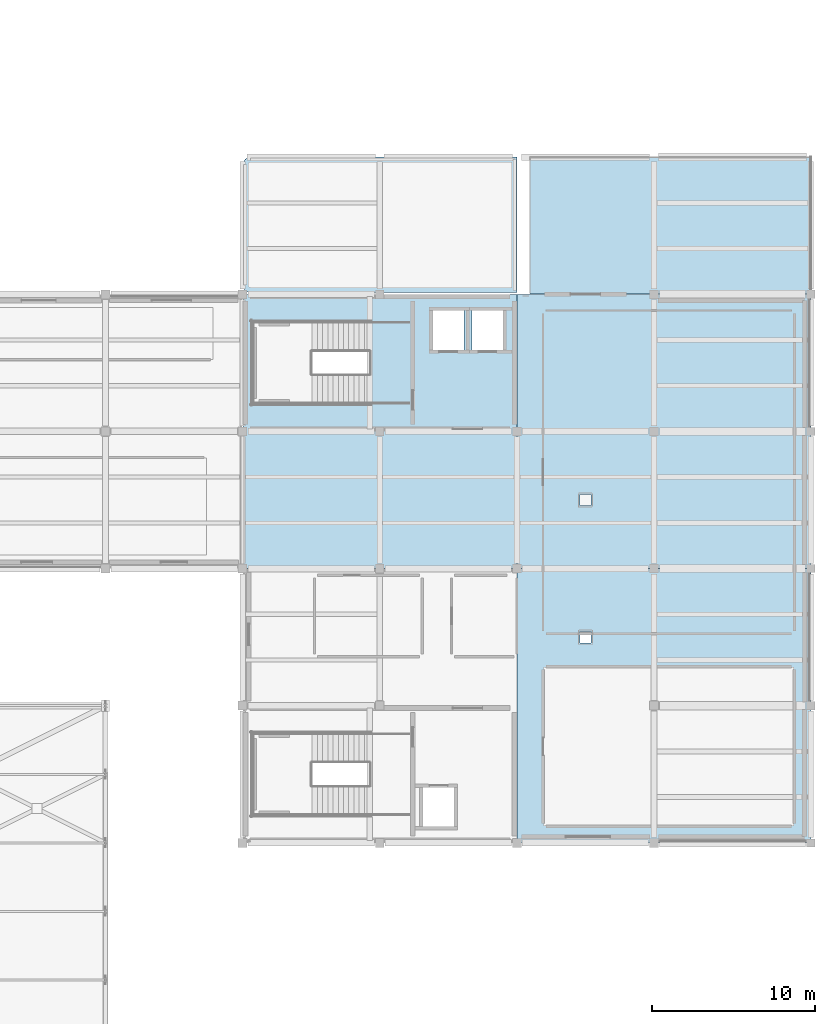
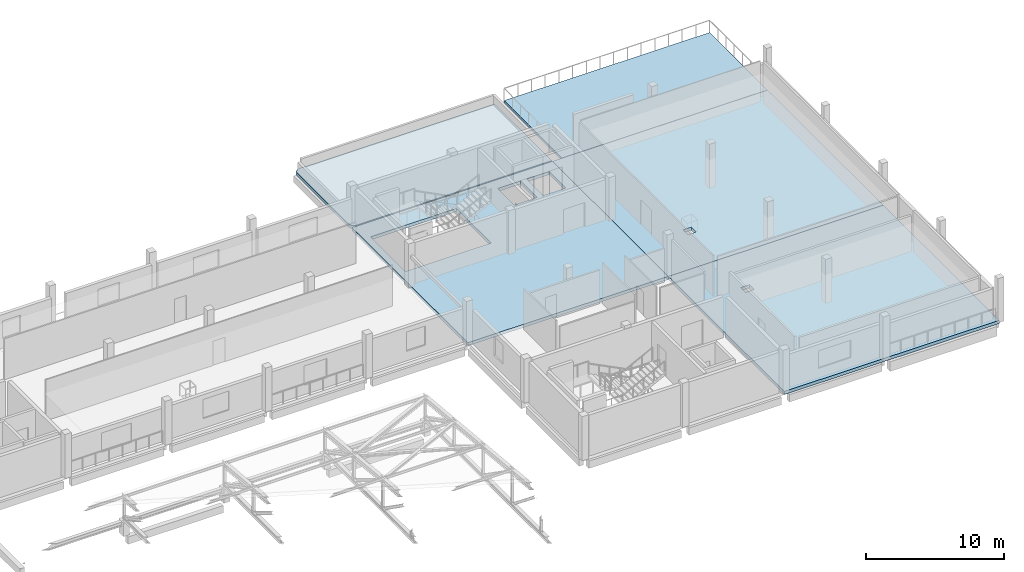
# One storey, part 54 of 74: 5 slabs.
"""IFC4 building model written with IfcOpenShell, lengths in metres."""

from ifc_helpers import new_model, si_unit, derived_unit, direction, frame, origin, place, context, subcontext, project, spatial, polyline, outline, extrude, material, layer, layer_set, type_object, element, save


model = new_model("IFC4")

# Units and contexts
model_context = context("Model", 3, precision=1e-05, world=origin(), true_north=direction((0.0, 1.0)))
body_context = subcontext(model_context, "Body", "Model", "MODEL_VIEW")
ifc_project = project(units=[si_unit("LENGTHUNIT", "METRE"), si_unit("AREAUNIT", "SQUARE_METRE"), si_unit("VOLUMEUNIT", "CUBIC_METRE"), si_unit("PLANEANGLEUNIT", "RADIAN"), si_unit("MASSUNIT", "GRAM", prefix="KILO"), derived_unit("THERMALTRANSMITTANCEUNIT", [(si_unit("POWERUNIT", "WATT"), 1), (si_unit("LENGTHUNIT", "METRE"), -2), (si_unit("THERMODYNAMICTEMPERATUREUNIT", "KELVIN"), -1)])], contexts=[model_context])

# Site, building, storey
site_placement = place(None, origin())
site = spatial("IfcSite", under=ifc_project, at=site_placement, CompositionType="ELEMENT")
building_placement = place(site_placement, origin())
building = spatial("IfcBuilding", under=site, at=building_placement, Name="Elbkamm Science Centre", CompositionType="ELEMENT")
storey_placement = place(building_placement, frame((0.0, 0.0, 14.39990234375)))
storey = spatial("IfcBuildingStorey", under=building, at=storey_placement, Name="L03", CompositionType="ELEMENT", Elevation=14.39990234375)

# Slabs
ifc_material_1 = material(Name="Exposed freeze-thaw concrete C40/50", Category="concrete")
ifc_layer_1 = layer(ifc_material_1, 0.219970703125)
ifc_layer_set_1 = layer_set([ifc_layer_1], Name="Exposed freeze-thaw concrete C40/50")
slab_type_1 = type_object("IfcSlabType", Name="SLAB-DECK-220", PredefinedType="FLOOR", material=ifc_layer_set_1)
slab_1_placement = place(storey_placement, frame((0.0, 0.0, -0.219970703125)))
element("IfcSlab", 1, at=slab_1_placement, inside=storey, type_object=slab_type_1, Name="Biodiversity Garden Roof Terrace", PredefinedType="FLOOR", context=body_context, shape_type="SweptSolid", body=[
    extrude(outline(polyline([(160.800048828125, 67.199951171875), (160.800048828125, 58.804931640625), (143.60009765625, 58.804931640625), (143.60009765625, 67.199951171875), (160.800048828125, 67.199951171875)])), origin(), (0.0, 0.0, 1.0), 0.219970703125),
])
ifc_material_2 = material(Name="Reinforced concrete C40/50", Category="concrete")
ifc_layer_2 = layer(ifc_material_2, 0.280029296875)
ifc_layer_set_2 = layer_set([ifc_layer_2], Name="Reinforced concrete C40/50")
slab_type_2 = type_object("IfcSlabType", Name="SLAB-FLR-280", PredefinedType="FLOOR", material=ifc_layer_set_2)
slab_2_placement = place(storey_placement, frame((0.0, 0.0, -0.27978515625)))
element("IfcSlab", 2, at=slab_2_placement, inside=storey, type_object=slab_type_2, Name="L03 Structural Slab E1M-06", PredefinedType="FLOOR", context=body_context, shape_type="SweptSolid", body=[
    extrude(outline(polyline([(126.02490234375, 58.800048828125), (142.800048828125, 58.800048828125), (142.800048828125, 42.0), (126.02490234375, 42.0), (126.02490234375, 58.800048828125)]), holes=[polyline([(126.60009765625, 57.1201171875), (126.60009765625, 52.080078125), (133.780029296875, 52.080078125), (133.780029296875, 57.1201171875), (126.60009765625, 57.1201171875)]), polyline([(137.64990234375, 57.800048828125), (137.64990234375, 55.39990234375), (139.550048828125, 55.39990234375), (139.550048828125, 57.800048828125), (137.64990234375, 57.800048828125)]), polyline([(141.949951171875, 57.800048828125), (140.050048828125, 57.800048828125), (140.050048828125, 55.39990234375), (141.949951171875, 55.39990234375), (141.949951171875, 57.800048828125)])]), origin(), (0.0, 0.0, 1.0), 0.27978515625),
])
slab_3_placement = place(storey_placement, frame((0.0, 0.0, -0.27978515625)))
element("IfcSlab", 3, at=slab_3_placement, inside=storey, type_object=slab_type_2, Name="L03 Structural Slab E2S-07", PredefinedType="FLOOR", context=body_context, shape_type="SweptSolid", body=[
    extrude(outline(polyline([(142.800048828125, 25.199951171875), (142.800048828125, 42.0), (160.800048828125, 42.0), (160.800048828125, 25.199951171875), (142.800048828125, 25.199951171875)]), holes=[polyline([(147.35009765625, 38.14990234375), (146.64990234375, 38.14990234375), (146.64990234375, 37.449951171875), (147.35009765625, 37.449951171875), (147.35009765625, 38.14990234375)])]), origin(), (0.0, 0.0, 1.0), 0.27978515625),
])
slab_4_placement = place(storey_placement, frame((0.0, 0.0, -0.27978515625)))
element("IfcSlab", 4, at=slab_4_placement, inside=storey, type_object=slab_type_2, Name="L03 Structural Slab E2M-08", PredefinedType="FLOOR", context=body_context, shape_type="SweptSolid", body=[
    extrude(outline(polyline([(160.800048828125, 42.0), (142.800048828125, 42.0), (142.800048828125, 58.800048828125), (160.800048828125, 58.800048828125), (160.800048828125, 42.0)]), holes=[polyline([(147.35009765625, 46.550048828125), (146.64990234375, 46.550048828125), (146.64990234375, 45.85009765625), (147.35009765625, 45.85009765625), (147.35009765625, 46.550048828125)])]), origin(), (0.0, 0.0, 1.0), 0.27978515625),
])
ifc_layer_3 = layer(ifc_material_2, 0.27001953125)
ifc_layer_set_3 = layer_set([ifc_layer_3], Name="Reinforced concrete C40/50")
slab_type_3 = type_object("IfcSlabType", Name="SLAB-ROOF-270", PredefinedType="ROOF", material=ifc_layer_set_3)
slab_5_placement = place(storey_placement, frame((0.0, 0.0, -0.27001953125)))
element("IfcSlab", 5, at=slab_5_placement, inside=storey, type_object=slab_type_3, Name="L03 Step-Back Roof Slab 05", PredefinedType="ROOF", context=body_context, shape_type="SweptSolid", body=[
    extrude(outline(polyline([(126.430908203125, 58.902099609375), (126.38720703125, 58.90869140625), (126.344482421875, 58.91943359375), (126.302734375, 58.934326171875), (126.262939453125, 58.953125), (126.22509765625, 58.975830078125), (126.189453125, 59.002197265625), (126.15673828125, 59.03173828125), (126.127197265625, 59.064453125), (126.100830078125, 59.10009765625), (126.078125, 59.137939453125), (126.059326171875, 59.177734375), (126.04443359375, 59.219482421875), (126.03369140625, 59.26220703125), (126.027099609375, 59.305908203125), (126.02490234375, 59.35009765625), (126.02490234375, 66.75), (126.027099609375, 66.794189453125), (126.03369140625, 66.837890625), (126.04443359375, 66.880615234375), (126.059326171875, 66.922119140625), (126.078125, 66.962158203125), (126.100830078125, 67.0), (126.127197265625, 67.035400390625), (126.15673828125, 67.068115234375), (126.189453125, 67.097900390625), (126.22509765625, 67.124267578125), (126.262939453125, 67.14697265625), (126.302734375, 67.165771484375), (126.344482421875, 67.1806640625), (126.38720703125, 67.19140625), (126.430908203125, 67.19775390625), (126.47509765625, 67.199951171875), (142.800048828125, 67.199951171875), (142.800048828125, 58.89990234375), (142.79443359375, 58.89990234375), (126.47509765625, 58.89990234375), (126.430908203125, 58.902099609375)])), origin(), (0.0, 0.0, 1.0), 0.27001953125),
])

save(model, "model.ifc")
